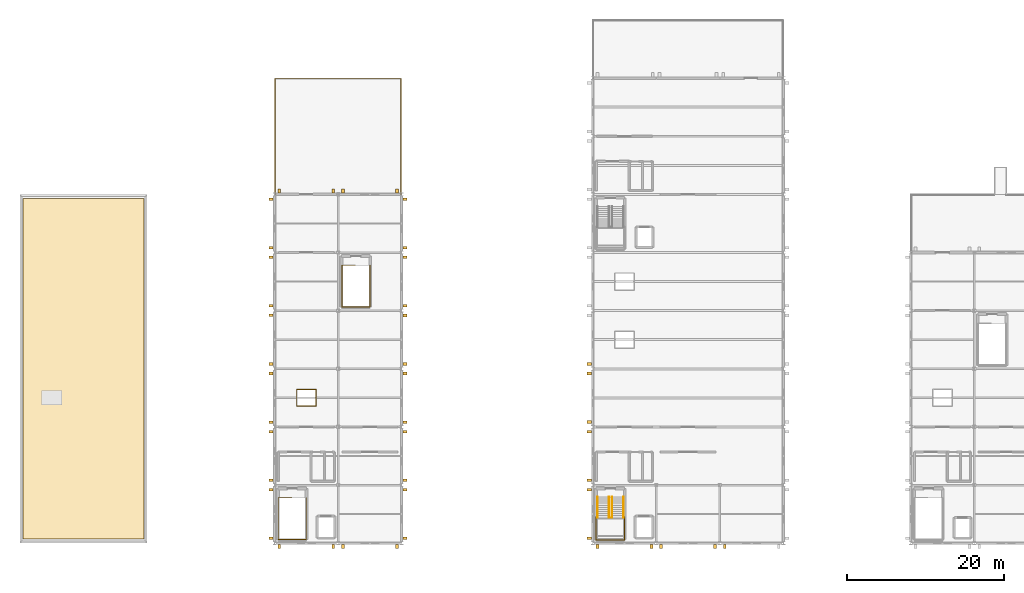
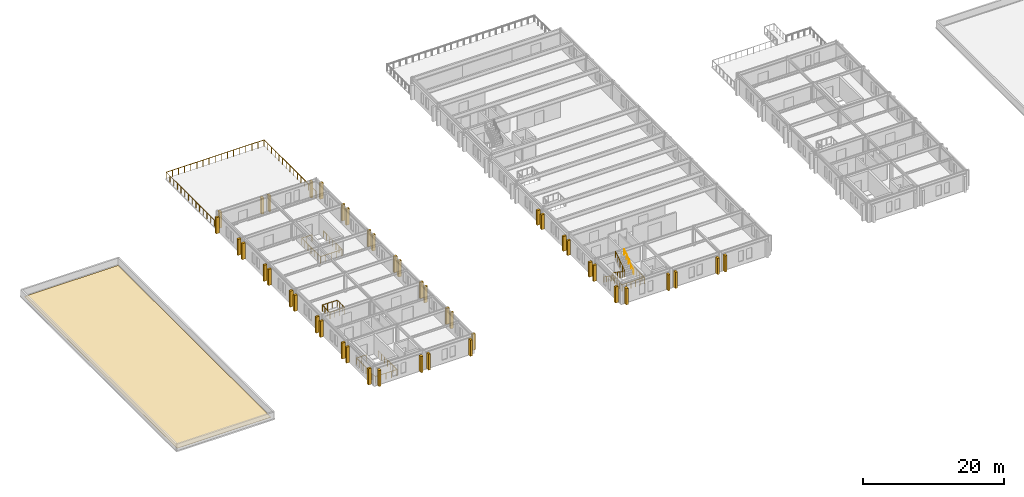
# One storey, part 17 of 19: 44 shading devices, 8 railings, 1 covering.
"""IFC4 building model written with IfcOpenShell, lengths in metres."""

from ifc_helpers import new_model, si_unit, direction, frame, origin, origin_2d, place, context, subcontext, project, spatial, rectangle, circle, extrude, material, layer, layer_set, type_object, element, save


model = new_model("IFC4")

# Units and contexts
model_context = context("Model", 3, precision=1e-05, world=origin(), true_north=direction((0.0, 1.0)))
body_context = subcontext(model_context, "Body", "Model", "MODEL_VIEW")
ifc_project = project(units=[si_unit("LENGTHUNIT", "METRE"), si_unit("AREAUNIT", "SQUARE_METRE"), si_unit("VOLUMEUNIT", "CUBIC_METRE"), si_unit("PLANEANGLEUNIT", "RADIAN"), si_unit("MASSUNIT", "GRAM", prefix="KILO")], contexts=[model_context])

# Site, building, storey
site_placement = place(None, origin())
site = spatial("IfcSite", under=ifc_project, at=site_placement, CompositionType="ELEMENT")
building_placement = place(site_placement, origin())
building = spatial("IfcBuilding", under=site, at=building_placement, Name="Cimatlan Art Gallery", CompositionType="ELEMENT")
storey_placement = place(building_placement, frame((0.0, 0.0, 17.39990234375)))
storey = spatial("IfcBuildingStorey", under=building, at=storey_placement, Name="L04", CompositionType="ELEMENT", Elevation=17.39990234375)

# Covering
ifc_material_1 = material(Name="Standing-seam patinated zinc roofing")
ifc_layer = layer(ifc_material_1, 0.02490234375)
ifc_layer_set = layer_set([ifc_layer], Name="Standing-seam patinated zinc roofing")
covering_type = type_object("IfcCoveringType", Name="COV-ROOF-ZINC-25", PredefinedType="ROOFING", material=ifc_layer_set)
covering_placement = place(storey_placement, frame((10.10009765625, 46.10009765625, 0.000244140625), z_axis=(0.0, 0.0, 1.0), x_axis=(1.0, 0.0, 0.0)))
element("IfcCovering", 1, at=covering_placement, inside=storey, type_object=covering_type, Name="RFG-B1", PredefinedType="ROOFING", context=body_context, shape_type="SweptSolid", body=[
    extrude(rectangle(XDim=15.39990234375, YDim=43.39990234375, at=origin_2d()), origin(), (0.0, 0.0, 1.0), 0.02490234375),
])

# Railings
ifc_material_2 = material(Name="Anodised bronze and laminated glass balustrade", Category="glass")
railing_type_1 = type_object("IfcRailingType", Name="RL-BAL-EXT-1100", PredefinedType="BALUSTRADE", material=ifc_material_2)
railing_1_placement = place(storey_placement, frame((34.47998046875, 68.320068359375, 0.0)))
element("IfcRailing", 2, at=railing_1_placement, inside=storey, type_object=railing_type_1, Name="GR-TER-25", PredefinedType="BALUSTRADE", context=body_context, shape_type="SweptSolid", body=[
    extrude(circle(Radius=0.02587890625, at=origin_2d()), frame((0.0, 0.0, 1.09423828125), z_axis=(0.0, 1.0, 0.0), x_axis=(-1.0, 0.0, 0.0)), (0.0, 0.0, 1.0), 14.699951171875),
    extrude(circle(Radius=0.02587890625, at=origin_2d()), frame((0.0, 14.699951171875, 1.09423828125), z_axis=(1.0, 0.0, 0.0), x_axis=(0.0, 1.0, 0.0)), (0.0, 0.0, 1.0), 16.0400390625),
    extrude(circle(Radius=0.02587890625, at=origin_2d()), frame((16.0400390625, 14.699951171875, 1.09423828125), z_axis=(0.0, -1.0, 0.0), x_axis=(1.0, 0.0, 0.0)), (0.0, 0.0, 1.0), 14.699951171875),
    extrude(circle(Radius=0.02099609375, at=origin_2d()), origin(), (0.0, 0.0, 1.0), 1.068115234375),
    extrude(circle(Radius=0.02099609375, at=origin_2d()), frame((0.0, 1.050048828125, 0.0)), (0.0, 0.0, 1.0), 1.068115234375),
    extrude(circle(Radius=0.02099609375, at=origin_2d()), frame((0.0, 2.10009765625, 0.0)), (0.0, 0.0, 1.0), 1.068115234375),
    extrude(circle(Radius=0.02099609375, at=origin_2d()), frame((0.0, 3.14990234375, 0.0)), (0.0, 0.0, 1.0), 1.068115234375),
    extrude(circle(Radius=0.02099609375, at=origin_2d()), frame((0.0, 4.199951171875, 0.0)), (0.0, 0.0, 1.0), 1.068115234375),
    extrude(circle(Radius=0.02099609375, at=origin_2d()), frame((0.0, 5.25, 0.0)), (0.0, 0.0, 1.0), 1.068115234375),
    extrude(circle(Radius=0.02099609375, at=origin_2d()), frame((0.0, 6.300048828125, 0.0)), (0.0, 0.0, 1.0), 1.068115234375),
    extrude(circle(Radius=0.02099609375, at=origin_2d()), frame((0.0, 7.35009765625, 0.0)), (0.0, 0.0, 1.0), 1.068115234375),
    extrude(circle(Radius=0.02099609375, at=origin_2d()), frame((0.0, 8.39990234375, 0.0)), (0.0, 0.0, 1.0), 1.068115234375),
    extrude(circle(Radius=0.02099609375, at=origin_2d()), frame((0.0, 9.449951171875, 0.0)), (0.0, 0.0, 1.0), 1.068115234375),
    extrude(circle(Radius=0.02099609375, at=origin_2d()), frame((0.0, 10.5, 0.0)), (0.0, 0.0, 1.0), 1.068115234375),
    extrude(circle(Radius=0.02099609375, at=origin_2d()), frame((0.0, 11.550048828125, 0.0)), (0.0, 0.0, 1.0), 1.068115234375),
    extrude(circle(Radius=0.02099609375, at=origin_2d()), frame((0.0, 12.599853515625, 0.0)), (0.0, 0.0, 1.0), 1.068115234375),
    extrude(circle(Radius=0.02099609375, at=origin_2d()), frame((0.0, 13.64990234375, 0.0)), (0.0, 0.0, 1.0), 1.068115234375),
    extrude(circle(Radius=0.02099609375, at=origin_2d()), frame((0.0, 14.699951171875, 0.0)), (0.0, 0.0, 1.0), 1.068115234375),
    extrude(circle(Radius=0.02099609375, at=origin_2d()), frame((1.00244140625, 14.699951171875, 0.0)), (0.0, 0.0, 1.0), 1.068115234375),
    extrude(circle(Radius=0.02099609375, at=origin_2d()), frame((2.0048828125, 14.699951171875, 0.0)), (0.0, 0.0, 1.0), 1.068115234375),
    extrude(circle(Radius=0.02099609375, at=origin_2d()), frame((3.007568359375, 14.699951171875, 0.0)), (0.0, 0.0, 1.0), 1.068115234375),
    extrude(circle(Radius=0.02099609375, at=origin_2d()), frame((4.010009765625, 14.699951171875, 0.0)), (0.0, 0.0, 1.0), 1.068115234375),
    extrude(circle(Radius=0.02099609375, at=origin_2d()), frame((5.012451171875, 14.699951171875, 0.0)), (0.0, 0.0, 1.0), 1.068115234375),
    extrude(circle(Radius=0.02099609375, at=origin_2d()), frame((6.01513671875, 14.699951171875, 0.0)), (0.0, 0.0, 1.0), 1.068115234375),
    extrude(circle(Radius=0.02099609375, at=origin_2d()), frame((7.017578125, 14.699951171875, 0.0)), (0.0, 0.0, 1.0), 1.068115234375),
    extrude(circle(Radius=0.02099609375, at=origin_2d()), frame((8.02001953125, 14.699951171875, 0.0)), (0.0, 0.0, 1.0), 1.068115234375),
    extrude(circle(Radius=0.02099609375, at=origin_2d()), frame((9.0224609375, 14.699951171875, 0.0)), (0.0, 0.0, 1.0), 1.068115234375),
    extrude(circle(Radius=0.02099609375, at=origin_2d()), frame((10.02490234375, 14.699951171875, 0.0)), (0.0, 0.0, 1.0), 1.068115234375),
    extrude(circle(Radius=0.02099609375, at=origin_2d()), frame((11.027587890625, 14.699951171875, 0.0)), (0.0, 0.0, 1.0), 1.068115234375),
    extrude(circle(Radius=0.02099609375, at=origin_2d()), frame((12.030029296875, 14.699951171875, 0.0)), (0.0, 0.0, 1.0), 1.068115234375),
    extrude(circle(Radius=0.02099609375, at=origin_2d()), frame((13.032470703125, 14.699951171875, 0.0)), (0.0, 0.0, 1.0), 1.068115234375),
    extrude(circle(Radius=0.02099609375, at=origin_2d()), frame((14.03515625, 14.699951171875, 0.0)), (0.0, 0.0, 1.0), 1.068115234375),
    extrude(circle(Radius=0.02099609375, at=origin_2d()), frame((15.03759765625, 14.699951171875, 0.0)), (0.0, 0.0, 1.0), 1.068115234375),
    extrude(circle(Radius=0.02099609375, at=origin_2d()), frame((16.0400390625, 14.699951171875, 0.0)), (0.0, 0.0, 1.0), 1.068115234375),
    extrude(circle(Radius=0.02099609375, at=origin_2d()), frame((16.0400390625, 13.64990234375, 0.0)), (0.0, 0.0, 1.0), 1.068115234375),
    extrude(circle(Radius=0.02099609375, at=origin_2d()), frame((16.0400390625, 12.599853515625, 0.0)), (0.0, 0.0, 1.0), 1.068115234375),
    extrude(circle(Radius=0.02099609375, at=origin_2d()), frame((16.0400390625, 11.550048828125, 0.0)), (0.0, 0.0, 1.0), 1.068115234375),
    extrude(circle(Radius=0.02099609375, at=origin_2d()), frame((16.0400390625, 10.5, 0.0)), (0.0, 0.0, 1.0), 1.068115234375),
    extrude(circle(Radius=0.02099609375, at=origin_2d()), frame((16.0400390625, 9.449951171875, 0.0)), (0.0, 0.0, 1.0), 1.068115234375),
    extrude(circle(Radius=0.02099609375, at=origin_2d()), frame((16.0400390625, 8.39990234375, 0.0)), (0.0, 0.0, 1.0), 1.068115234375),
    extrude(circle(Radius=0.02099609375, at=origin_2d()), frame((16.0400390625, 7.35009765625, 0.0)), (0.0, 0.0, 1.0), 1.068115234375),
    extrude(circle(Radius=0.02099609375, at=origin_2d()), frame((16.0400390625, 6.300048828125, 0.0)), (0.0, 0.0, 1.0), 1.068115234375),
    extrude(circle(Radius=0.02099609375, at=origin_2d()), frame((16.0400390625, 5.25, 0.0)), (0.0, 0.0, 1.0), 1.068115234375),
    extrude(circle(Radius=0.02099609375, at=origin_2d()), frame((16.0400390625, 4.199951171875, 0.0)), (0.0, 0.0, 1.0), 1.068115234375),
    extrude(circle(Radius=0.02099609375, at=origin_2d()), frame((16.0400390625, 3.14990234375, 0.0)), (0.0, 0.0, 1.0), 1.068115234375),
    extrude(circle(Radius=0.02099609375, at=origin_2d()), frame((16.0400390625, 2.10009765625, 0.0)), (0.0, 0.0, 1.0), 1.068115234375),
    extrude(circle(Radius=0.02099609375, at=origin_2d()), frame((16.0400390625, 1.050048828125, 0.0)), (0.0, 0.0, 1.0), 1.068115234375),
    extrude(circle(Radius=0.02099609375, at=origin_2d()), frame((16.0400390625, 0.0, 0.0)), (0.0, 0.0, 1.0), 1.068115234375),
])
ifc_material_3 = material(Name="Painted steel and bronze interior balustrade", Category="steel")
railing_type_2 = type_object("IfcRailingType", Name="RL-BAL-INT-1120", PredefinedType="BALUSTRADE", material=ifc_material_3)
railing_2_placement = place(storey_placement, frame((36.550048828125, 29.679931640625, 0.0)))
element("IfcRailing", 3, at=railing_2_placement, inside=storey, type_object=railing_type_2, Name="GR-WELL-TOP-C2", PredefinedType="BALUSTRADE", context=body_context, shape_type="SweptSolid", body=[
    extrude(circle(Radius=0.02392578125, at=origin_2d()), frame((0.0, 0.0, 1.09619140625), z_axis=(-1.0, 0.0, 0.0), x_axis=(0.0, -1.0, 0.0)), (0.0, 0.0, 1.0), 1.670166015625),
    extrude(circle(Radius=0.02392578125, at=origin_2d()), frame((-1.670166015625, 0.0, 1.09619140625), z_axis=(0.0, -1.0, 0.0), x_axis=(1.0, 0.0, 0.0)), (0.0, 0.0, 1.0), 5.300048828125),
    extrude(circle(Radius=0.02392578125, at=origin_2d()), frame((-1.670166015625, -5.300048828125, 1.09619140625), z_axis=(1.0, 0.0, 0.0), x_axis=(0.0, 1.0, 0.0)), (0.0, 0.0, 1.0), 3.56005859375),
    extrude(circle(Radius=0.02392578125, at=origin_2d()), frame((1.889892578125, -5.300048828125, 1.09619140625), z_axis=(0.0, 1.0, 0.0), x_axis=(-1.0, 0.0, 0.0)), (0.0, 0.0, 1.0), 5.300048828125),
    extrude(circle(Radius=0.02001953125, at=origin_2d()), origin(), (0.0, 0.0, 1.0), 1.072021484375),
    extrude(circle(Radius=0.02001953125, at=origin_2d()), frame((-0.8349609375, 0.0, 0.0)), (0.0, 0.0, 1.0), 1.072021484375),
    extrude(circle(Radius=0.02001953125, at=origin_2d()), frame((-1.670166015625, 0.0, 0.0)), (0.0, 0.0, 1.0), 1.072021484375),
    extrude(circle(Radius=0.02001953125, at=origin_2d()), frame((-1.670166015625, -0.88330078125, 0.0)), (0.0, 0.0, 1.0), 1.072021484375),
    extrude(circle(Radius=0.02001953125, at=origin_2d()), frame((-1.670166015625, -1.7666015625, 0.0)), (0.0, 0.0, 1.0), 1.072021484375),
    extrude(circle(Radius=0.02001953125, at=origin_2d()), frame((-1.670166015625, -2.64990234375, 0.0)), (0.0, 0.0, 1.0), 1.072021484375),
    extrude(circle(Radius=0.02001953125, at=origin_2d()), frame((-1.670166015625, -3.533447265625, 0.0)), (0.0, 0.0, 1.0), 1.072021484375),
    extrude(circle(Radius=0.02001953125, at=origin_2d()), frame((-1.670166015625, -4.416748046875, 0.0)), (0.0, 0.0, 1.0), 1.072021484375),
    extrude(circle(Radius=0.02001953125, at=origin_2d()), frame((-1.670166015625, -5.300048828125, 0.0)), (0.0, 0.0, 1.0), 1.072021484375),
    extrude(circle(Radius=0.02001953125, at=origin_2d()), frame((-0.7802734375, -5.300048828125, 0.0)), (0.0, 0.0, 1.0), 1.072021484375),
    extrude(circle(Radius=0.02001953125, at=origin_2d()), frame((0.10986328125, -5.300048828125, 0.0)), (0.0, 0.0, 1.0), 1.072021484375),
    extrude(circle(Radius=0.02001953125, at=origin_2d()), frame((1.0, -5.300048828125, 0.0)), (0.0, 0.0, 1.0), 1.072021484375),
    extrude(circle(Radius=0.02001953125, at=origin_2d()), frame((1.889892578125, -5.300048828125, 0.0)), (0.0, 0.0, 1.0), 1.072021484375),
    extrude(circle(Radius=0.02001953125, at=origin_2d()), frame((1.889892578125, -4.416748046875, 0.0)), (0.0, 0.0, 1.0), 1.072021484375),
    extrude(circle(Radius=0.02001953125, at=origin_2d()), frame((1.889892578125, -3.533447265625, 0.0)), (0.0, 0.0, 1.0), 1.072021484375),
    extrude(circle(Radius=0.02001953125, at=origin_2d()), frame((1.889892578125, -2.64990234375, 0.0)), (0.0, 0.0, 1.0), 1.072021484375),
    extrude(circle(Radius=0.02001953125, at=origin_2d()), frame((1.889892578125, -1.7666015625, 0.0)), (0.0, 0.0, 1.0), 1.072021484375),
    extrude(circle(Radius=0.02001953125, at=origin_2d()), frame((1.889892578125, -0.88330078125, 0.0)), (0.0, 0.0, 1.0), 1.072021484375),
    extrude(circle(Radius=0.02001953125, at=origin_2d()), frame((1.889892578125, 0.0, 0.0)), (0.0, 0.0, 1.0), 1.072021484375),
])
railing_3_placement = place(storey_placement, frame((75.31005859375, 27.239990234375, 1.800048828125)))
element("IfcRailing", 4, at=railing_3_placement, inside=storey, type_object=railing_type_2, Name="STR-C3-L04-LGRD", PredefinedType="BALUSTRADE", context=body_context, shape_type="SweptSolid", body=[
    extrude(circle(Radius=0.02392578125, at=origin_2d()), frame((0.0, 0.0, 1.09619140625), z_axis=(0.0, -1.0, 0.0), x_axis=(1.0, 0.0, 0.0)), (0.0, 0.0, 1.0), 2.929931640625),
    extrude(circle(Radius=0.02392578125, at=origin_2d()), frame((0.0, -2.929931640625, 1.09619140625), z_axis=(1.0, 0.0, 0.0), x_axis=(0.0, 1.0, 0.0)), (0.0, 0.0, 1.0), 3.669921875),
    extrude(circle(Radius=0.02392578125, at=origin_2d()), frame((3.669921875, -2.929931640625, 1.09619140625), z_axis=(0.0, 1.0, 0.0), x_axis=(-1.0, 0.0, 0.0)), (0.0, 0.0, 1.0), 2.929931640625),
    extrude(circle(Radius=0.02001953125, at=origin_2d()), origin(), (0.0, 0.0, 1.0), 1.072021484375),
    extrude(circle(Radius=0.02001953125, at=origin_2d()), frame((0.0, -0.732421875, 0.0)), (0.0, 0.0, 1.0), 1.072021484375),
    extrude(circle(Radius=0.02001953125, at=origin_2d()), frame((0.0, -1.46484375, 0.0)), (0.0, 0.0, 1.0), 1.072021484375),
    extrude(circle(Radius=0.02001953125, at=origin_2d()), frame((0.0, -2.197509765625, 0.0)), (0.0, 0.0, 1.0), 1.072021484375),
    extrude(circle(Radius=0.02001953125, at=origin_2d()), frame((0.0, -2.929931640625, 0.0)), (0.0, 0.0, 1.0), 1.072021484375),
    extrude(circle(Radius=0.02001953125, at=origin_2d()), frame((0.73388671875, -2.929931640625, 0.0)), (0.0, 0.0, 1.0), 1.072021484375),
    extrude(circle(Radius=0.02001953125, at=origin_2d()), frame((1.468017578125, -2.929931640625, 0.0)), (0.0, 0.0, 1.0), 1.072021484375),
    extrude(circle(Radius=0.02001953125, at=origin_2d()), frame((2.201904296875, -2.929931640625, 0.0)), (0.0, 0.0, 1.0), 1.072021484375),
    extrude(circle(Radius=0.02001953125, at=origin_2d()), frame((2.93603515625, -2.929931640625, 0.0)), (0.0, 0.0, 1.0), 1.072021484375),
    extrude(circle(Radius=0.02001953125, at=origin_2d()), frame((3.669921875, -2.929931640625, 0.0)), (0.0, 0.0, 1.0), 1.072021484375),
    extrude(circle(Radius=0.02001953125, at=origin_2d()), frame((3.669921875, -2.197509765625, 0.0)), (0.0, 0.0, 1.0), 1.072021484375),
    extrude(circle(Radius=0.02001953125, at=origin_2d()), frame((3.669921875, -1.46484375, 0.0)), (0.0, 0.0, 1.0), 1.072021484375),
    extrude(circle(Radius=0.02001953125, at=origin_2d()), frame((3.669921875, -0.732421875, 0.0)), (0.0, 0.0, 1.0), 1.072021484375),
    extrude(circle(Radius=0.02001953125, at=origin_2d()), frame((3.669921875, 0.0, 0.0)), (0.0, 0.0, 1.0), 1.072021484375),
])
railing_4_placement = place(storey_placement, frame((76.969970703125, 29.780029296875, 0.0)))
element("IfcRailing", 5, at=railing_4_placement, inside=storey, type_object=railing_type_2, Name="STR-C3-L04-GRD", PredefinedType="BALUSTRADE", context=body_context, shape_type="SweptSolid", body=[
    extrude(circle(Radius=0.02392578125, at=origin_2d()), frame((0.0, 0.0, 1.09619140625), z_axis=(0.0, -0.827224042694, 0.561872212509), x_axis=(1.0, 0.0, 0.0)), (0.0, 0.0, 1.0), 3.20361328125),
    extrude(circle(Radius=0.02392578125, at=origin_2d()), frame((0.0, -2.650146484375, 2.89599609375), z_axis=(1.0, 0.0, 0.0), x_axis=(0.0, 1.0, 0.0)), (0.0, 0.0, 1.0), 0.400146484375),
    extrude(circle(Radius=0.02392578125, at=origin_2d()), frame((0.400146484375, -2.650146484375, 2.89599609375), z_axis=(0.0, 0.827224042694, 0.561872212509), x_axis=(-1.0, 0.0, 0.0)), (0.0, 0.0, 1.0), 3.20361328125),
    extrude(circle(Radius=0.02001953125, at=origin_2d()), origin(), (0.0, 0.0, 1.0), 1.072021484375),
    extrude(circle(Radius=0.02001953125, at=origin_2d()), frame((0.0, -0.66259765625, 0.449951171875)), (0.0, 0.0, 1.0), 1.072021484375),
    extrude(circle(Radius=0.02001953125, at=origin_2d()), frame((0.0, -1.3251953125, 0.89990234375)), (0.0, 0.0, 1.0), 1.072021484375),
    extrude(circle(Radius=0.02001953125, at=origin_2d()), frame((0.0, -1.987548828125, 1.35009765625)), (0.0, 0.0, 1.0), 1.072021484375),
    extrude(circle(Radius=0.02001953125, at=origin_2d()), frame((0.0, -2.650146484375, 1.800048828125)), (0.0, 0.0, 1.0), 1.072021484375),
    extrude(circle(Radius=0.02001953125, at=origin_2d()), frame((0.400146484375, -2.650146484375, 1.800048828125)), (0.0, 0.0, 1.0), 1.072021484375),
    extrude(circle(Radius=0.02001953125, at=origin_2d()), frame((0.400146484375, -1.987548828125, 2.25)), (0.0, 0.0, 1.0), 1.072021484375),
    extrude(circle(Radius=0.02001953125, at=origin_2d()), frame((0.400146484375, -1.3251953125, 2.7001953125)), (0.0, 0.0, 1.0), 1.072021484375),
    extrude(circle(Radius=0.02001953125, at=origin_2d()), frame((0.400146484375, -0.66259765625, 3.150146484375)), (0.0, 0.0, 1.0), 1.072021484375),
    extrude(circle(Radius=0.02001953125, at=origin_2d()), frame((0.400146484375, 0.0, 3.60009765625)), (0.0, 0.0, 1.0), 1.072021484375),
])
railing_5_placement = place(storey_placement, frame((44.64990234375, 59.280029296875, 0.0)))
element("IfcRailing", 6, at=railing_5_placement, inside=storey, type_object=railing_type_2, Name="GR-WELL-TOP-C8", PredefinedType="BALUSTRADE", context=body_context, shape_type="SweptSolid", body=[
    extrude(circle(Radius=0.02392578125, at=origin_2d()), frame((0.0, 0.0, 1.09619140625), z_axis=(-1.0, 0.0, 0.0), x_axis=(0.0, -1.0, 0.0)), (0.0, 0.0, 1.0), 1.669921875),
    extrude(circle(Radius=0.02392578125, at=origin_2d()), frame((-1.669921875, 0.0, 1.09619140625), z_axis=(0.0, -1.0, 0.0), x_axis=(1.0, 0.0, 0.0)), (0.0, 0.0, 1.0), 5.300048828125),
    extrude(circle(Radius=0.02392578125, at=origin_2d()), frame((-1.669921875, -5.300048828125, 1.09619140625), z_axis=(1.0, 0.0, 0.0), x_axis=(0.0, 1.0, 0.0)), (0.0, 0.0, 1.0), 3.56005859375),
    extrude(circle(Radius=0.02392578125, at=origin_2d()), frame((1.89013671875, -5.300048828125, 1.09619140625), z_axis=(0.0, 1.0, 0.0), x_axis=(-1.0, 0.0, 0.0)), (0.0, 0.0, 1.0), 5.300048828125),
    extrude(circle(Radius=0.02001953125, at=origin_2d()), origin(), (0.0, 0.0, 1.0), 1.072021484375),
    extrude(circle(Radius=0.02001953125, at=origin_2d()), frame((-0.8349609375, 0.0, 0.0)), (0.0, 0.0, 1.0), 1.072021484375),
    extrude(circle(Radius=0.02001953125, at=origin_2d()), frame((-1.669921875, 0.0, 0.0)), (0.0, 0.0, 1.0), 1.072021484375),
    extrude(circle(Radius=0.02001953125, at=origin_2d()), frame((-1.669921875, -0.88330078125, 0.0)), (0.0, 0.0, 1.0), 1.072021484375),
    extrude(circle(Radius=0.02001953125, at=origin_2d()), frame((-1.669921875, -1.7666015625, 0.0)), (0.0, 0.0, 1.0), 1.072021484375),
    extrude(circle(Radius=0.02001953125, at=origin_2d()), frame((-1.669921875, -2.64990234375, 0.0)), (0.0, 0.0, 1.0), 1.072021484375),
    extrude(circle(Radius=0.02001953125, at=origin_2d()), frame((-1.669921875, -3.533447265625, 0.0)), (0.0, 0.0, 1.0), 1.072021484375),
    extrude(circle(Radius=0.02001953125, at=origin_2d()), frame((-1.669921875, -4.416748046875, 0.0)), (0.0, 0.0, 1.0), 1.072021484375),
    extrude(circle(Radius=0.02001953125, at=origin_2d()), frame((-1.669921875, -5.300048828125, 0.0)), (0.0, 0.0, 1.0), 1.072021484375),
    extrude(circle(Radius=0.02001953125, at=origin_2d()), frame((-0.77978515625, -5.300048828125, 0.0)), (0.0, 0.0, 1.0), 1.072021484375),
    extrude(circle(Radius=0.02001953125, at=origin_2d()), frame((0.110107421875, -5.300048828125, 0.0)), (0.0, 0.0, 1.0), 1.072021484375),
    extrude(circle(Radius=0.02001953125, at=origin_2d()), frame((1.0, -5.300048828125, 0.0)), (0.0, 0.0, 1.0), 1.072021484375),
    extrude(circle(Radius=0.02001953125, at=origin_2d()), frame((1.89013671875, -5.300048828125, 0.0)), (0.0, 0.0, 1.0), 1.072021484375),
    extrude(circle(Radius=0.02001953125, at=origin_2d()), frame((1.89013671875, -4.416748046875, 0.0)), (0.0, 0.0, 1.0), 1.072021484375),
    extrude(circle(Radius=0.02001953125, at=origin_2d()), frame((1.89013671875, -3.533447265625, 0.0)), (0.0, 0.0, 1.0), 1.072021484375),
    extrude(circle(Radius=0.02001953125, at=origin_2d()), frame((1.89013671875, -2.64990234375, 0.0)), (0.0, 0.0, 1.0), 1.072021484375),
    extrude(circle(Radius=0.02001953125, at=origin_2d()), frame((1.89013671875, -1.7666015625, 0.0)), (0.0, 0.0, 1.0), 1.072021484375),
    extrude(circle(Radius=0.02001953125, at=origin_2d()), frame((1.89013671875, -0.88330078125, 0.0)), (0.0, 0.0, 1.0), 1.072021484375),
    extrude(circle(Radius=0.02001953125, at=origin_2d()), frame((1.89013671875, 0.0, 0.0)), (0.0, 0.0, 1.0), 1.072021484375),
])
railing_6_placement = place(storey_placement, frame((37.239990234375, 41.340087890625, 0.0)))
element("IfcRailing", 7, at=railing_6_placement, inside=storey, type_object=railing_type_2, Name="GR-OCU-L04-B2S", PredefinedType="BALUSTRADE", context=body_context, shape_type="SweptSolid", body=[
    extrude(circle(Radius=0.02392578125, at=origin_2d()), frame((0.0, 0.0, 1.09619140625), z_axis=(1.0, 0.0, 0.0), x_axis=(0.0, 1.0, 0.0)), (0.0, 0.0, 1.0), 2.419921875),
    extrude(circle(Radius=0.02392578125, at=origin_2d()), frame((2.419921875, 0.0, 1.09619140625), z_axis=(0.0, 1.0, 0.0), x_axis=(-1.0, 0.0, 0.0)), (0.0, 0.0, 1.0), 2.119873046875),
    extrude(circle(Radius=0.02392578125, at=origin_2d()), frame((2.419921875, 2.119873046875, 1.09619140625), z_axis=(-1.0, 0.0, 0.0), x_axis=(0.0, -1.0, 0.0)), (0.0, 0.0, 1.0), 2.419921875),
    extrude(circle(Radius=0.02392578125, at=origin_2d()), frame((0.0, 2.119873046875, 1.09619140625), z_axis=(0.0, -1.0, 0.0), x_axis=(1.0, 0.0, 0.0)), (0.0, 0.0, 1.0), 2.080078125),
    extrude(circle(Radius=0.02001953125, at=origin_2d()), origin(), (0.0, 0.0, 1.0), 1.072021484375),
    extrude(circle(Radius=0.02001953125, at=origin_2d()), frame((0.806640625, 0.0, 0.0)), (0.0, 0.0, 1.0), 1.072021484375),
    extrude(circle(Radius=0.02001953125, at=origin_2d()), frame((1.61328125, 0.0, 0.0)), (0.0, 0.0, 1.0), 1.072021484375),
    extrude(circle(Radius=0.02001953125, at=origin_2d()), frame((2.419921875, 0.0, 0.0)), (0.0, 0.0, 1.0), 1.072021484375),
    extrude(circle(Radius=0.02001953125, at=origin_2d()), frame((2.419921875, 0.70654296875, 0.0)), (0.0, 0.0, 1.0), 1.072021484375),
    extrude(circle(Radius=0.02001953125, at=origin_2d()), frame((2.419921875, 1.413330078125, 0.0)), (0.0, 0.0, 1.0), 1.072021484375),
    extrude(circle(Radius=0.02001953125, at=origin_2d()), frame((2.419921875, 2.119873046875, 0.0)), (0.0, 0.0, 1.0), 1.072021484375),
    extrude(circle(Radius=0.02001953125, at=origin_2d()), frame((1.61328125, 2.119873046875, 0.0)), (0.0, 0.0, 1.0), 1.072021484375),
    extrude(circle(Radius=0.02001953125, at=origin_2d()), frame((0.806640625, 2.119873046875, 0.0)), (0.0, 0.0, 1.0), 1.072021484375),
    extrude(circle(Radius=0.02001953125, at=origin_2d()), frame((0.0, 2.119873046875, 0.0)), (0.0, 0.0, 1.0), 1.072021484375),
    extrude(circle(Radius=0.02001953125, at=origin_2d()), frame((0.0, 1.426513671875, 0.0)), (0.0, 0.0, 1.0), 1.072021484375),
    extrude(circle(Radius=0.02001953125, at=origin_2d()), frame((0.0, 0.733154296875, 0.0)), (0.0, 0.0, 1.0), 1.072021484375),
    extrude(circle(Radius=0.02001953125, at=origin_2d()), frame((0.0, 0.039794921875, 0.0)), (0.0, 0.0, 1.0), 1.072021484375),
])
ifc_material_4 = material(Name="Brushed bronze stair handrail")
railing_type_3 = type_object("IfcRailingType", Name="RL-HND-INT-920", PredefinedType="HANDRAIL", material=ifc_material_4)
railing_7_placement = place(storey_placement, frame((75.510009765625, 29.780029296875, 0.0)))
element("IfcRailing", 8, at=railing_7_placement, inside=storey, type_object=railing_type_3, Name="STR-C3-L04-HR1", PredefinedType="HANDRAIL", context=body_context, shape_type="SweptSolid", body=[
    extrude(circle(Radius=0.02197265625, at=origin_2d()), frame((0.0, 0.0, 0.89794921875), z_axis=(0.0, -0.827224042694, 0.561872212509), x_axis=(1.0, 0.0, 0.0)), (0.0, 0.0, 1.0), 3.20361328125),
    extrude(circle(Radius=0.01904296875, at=origin_2d()), origin(), (0.0, 0.0, 1.0), 0.8759765625),
    extrude(circle(Radius=0.01904296875, at=origin_2d()), frame((0.0, -0.66259765625, 0.449951171875)), (0.0, 0.0, 1.0), 0.8759765625),
    extrude(circle(Radius=0.01904296875, at=origin_2d()), frame((0.0, -1.3251953125, 0.89990234375)), (0.0, 0.0, 1.0), 0.8759765625),
    extrude(circle(Radius=0.01904296875, at=origin_2d()), frame((0.0, -1.987548828125, 1.35009765625)), (0.0, 0.0, 1.0), 0.8759765625),
    extrude(circle(Radius=0.01904296875, at=origin_2d()), frame((0.0, -2.650146484375, 1.800048828125)), (0.0, 0.0, 1.0), 0.8759765625),
])
railing_8_placement = place(storey_placement, frame((78.830078125, 27.1298828125, 1.800048828125)))
element("IfcRailing", 9, at=railing_8_placement, inside=storey, type_object=railing_type_3, Name="STR-C3-L04-HR2", PredefinedType="HANDRAIL", context=body_context, shape_type="SweptSolid", body=[
    extrude(circle(Radius=0.02197265625, at=origin_2d()), frame((0.0, 0.0, 0.89794921875), z_axis=(0.0, 0.827224042694, 0.561872212509), x_axis=(-1.0, 0.0, 0.0)), (0.0, 0.0, 1.0), 3.20361328125),
    extrude(circle(Radius=0.01904296875, at=origin_2d()), origin(), (0.0, 0.0, 1.0), 0.8759765625),
    extrude(circle(Radius=0.01904296875, at=origin_2d()), frame((0.0, 0.66259765625, 0.449951171875)), (0.0, 0.0, 1.0), 0.8759765625),
    extrude(circle(Radius=0.01904296875, at=origin_2d()), frame((0.0, 1.3251953125, 0.89990234375)), (0.0, 0.0, 1.0), 0.8759765625),
    extrude(circle(Radius=0.01904296875, at=origin_2d()), frame((0.0, 1.987548828125, 1.35009765625)), (0.0, 0.0, 1.0), 0.8759765625),
    extrude(circle(Radius=0.01904296875, at=origin_2d()), frame((0.0, 2.650146484375, 1.800048828125)), (0.0, 0.0, 1.0), 0.8759765625),
])

# Shading devices
ifc_material_5 = material(Name="Queretaro cantera limestone buttress pilaster", Category="masonry")
shading_device_type = type_object("IfcShadingDeviceType", Name="SHD-BUT-520", PredefinedType="USERDEFINED", material=ifc_material_5)
for number, where, z_axis, x_axis, name in (
    (10, (41.888916015625, 23.471923828125, 0.06005859375), (0.0, 0.0, 1.0), (-1.0, 0.0, 0.0), "BUT-0449"),
    (11, (35.009521484375, 23.471923828125, 0.06005859375), (0.0, 0.0, 1.0), (-1.0, 0.0, 0.0), "BUT-0450"),
    (12, (33.971923828125, 24.506103515625, 0.06005859375), (0.0, 0.0, 1.0), (0.0, 1.0, 0.0), "BUT-0451"),
    (13, (33.971923828125, 30.694091796875, 0.06005859375), (0.0, 0.0, 1.0), (0.0, 1.0, 0.0), "BUT-0452"),
    (14, (33.971923828125, 31.906005859375, 0.06005859375), (0.0, 0.0, 1.0), (0.0, 1.0, 0.0), "BUT-0453"),
    (15, (33.971923828125, 38.093994140625, 0.06005859375), (0.0, 0.0, 1.0), (0.0, 1.0, 0.0), "BUT-0454"),
    (16, (33.971923828125, 39.305908203125, 0.06005859375), (0.0, 0.0, 1.0), (0.0, 1.0, 0.0), "BUT-0455"),
    (17, (33.971923828125, 45.493896484375, 0.06005859375), (0.0, 0.0, 1.0), (0.0, 1.0, 0.0), "BUT-0456"),
    (18, (33.971923828125, 46.7060546875, 0.06005859375), (0.0, 0.0, 1.0), (0.0, 1.0, 0.0), "BUT-0457"),
    (19, (33.971923828125, 52.89404296875, 0.06005859375), (0.0, 0.0, 1.0), (0.0, 1.0, 0.0), "BUT-0458"),
    (20, (33.971923828125, 54.10595703125, 0.06005859375), (0.0, 0.0, 1.0), (0.0, 1.0, 0.0), "BUT-0459"),
    (21, (33.971923828125, 60.2939453125, 0.06005859375), (0.0, 0.0, 1.0), (0.0, 1.0, 0.0), "BUT-0460"),
    (22, (35.009521484375, 68.72802734375, 0.06005859375), (0.0, 0.0, 1.0), (1.0, 0.0, 0.0), "BUT-0461"),
    (23, (41.888916015625, 68.72802734375, 0.06005859375), (0.0, 0.0, 1.0), (1.0, 0.0, 0.0), "BUT-0462"),
    (24, (33.971923828125, 61.506103515625, 0.06005859375), (0.0, 0.0, 1.0), (0.0, 1.0, 0.0), "BUT-0463"),
    (25, (33.971923828125, 67.694091796875, 0.06005859375), (0.0, 0.0, 1.0), (0.0, 1.0, 0.0), "BUT-0464"),
    (26, (49.989013671875, 23.471923828125, 0.06005859375), (0.0, 0.0, 1.0), (-1.0, 0.0, 0.0), "BUT-0465"),
    (27, (43.111083984375, 23.471923828125, 0.06005859375), (0.0, 0.0, 1.0), (-1.0, 0.0, 0.0), "BUT-0466"),
    (28, (51.028076171875, 30.68994140625, 0.06005859375), (0.0, 0.0, 1.0), (0.0, -1.0, 0.0), "BUT-0467"),
    (29, (51.028076171875, 24.510009765625, 0.06005859375), (0.0, 0.0, 1.0), (0.0, -1.0, 0.0), "BUT-0468"),
    (30, (51.028076171875, 38.090087890625, 0.06005859375), (0.0, 0.0, 1.0), (0.0, -1.0, 0.0), "BUT-0469"),
    (31, (51.028076171875, 31.909912109375, 0.06005859375), (0.0, 0.0, 1.0), (0.0, -1.0, 0.0), "BUT-0470"),
    (32, (51.028076171875, 45.489990234375, 0.06005859375), (0.0, 0.0, 1.0), (0.0, -1.0, 0.0), "BUT-0471"),
    (33, (51.028076171875, 39.31005859375, 0.06005859375), (0.0, 0.0, 1.0), (0.0, -1.0, 0.0), "BUT-0472"),
    (34, (51.028076171875, 52.889892578125, 0.06005859375), (0.0, 0.0, 1.0), (0.0, -1.0, 0.0), "BUT-0473"),
    (35, (51.028076171875, 46.7099609375, 0.06005859375), (0.0, 0.0, 1.0), (0.0, -1.0, 0.0), "BUT-0474"),
    (36, (51.028076171875, 60.2900390625, 0.06005859375), (0.0, 0.0, 1.0), (0.0, -1.0, 0.0), "BUT-0475"),
    (37, (51.028076171875, 54.110107421875, 0.06005859375), (0.0, 0.0, 1.0), (0.0, -1.0, 0.0), "BUT-0476"),
    (38, (43.111083984375, 68.72802734375, 0.06005859375), (0.0, 0.0, 1.0), (1.0, 0.0, 0.0), "BUT-0477"),
    (39, (49.989013671875, 68.72802734375, 0.06005859375), (0.0, 0.0, 1.0), (1.0, 0.0, 0.0), "BUT-0478"),
    (40, (51.028076171875, 67.68994140625, 0.06005859375), (0.0, 0.0, 1.0), (0.0, -1.0, 0.0), "BUT-0479"),
    (41, (51.028076171875, 61.510009765625, 0.06005859375), (0.0, 0.0, 1.0), (0.0, -1.0, 0.0), "BUT-0480"),
    (42, (82.388916015625, 23.471923828125, 0.06005859375), (0.0, 0.0, 1.0), (-1.0, 0.0, 0.0), "BUT-0481"),
    (43, (75.52099609375, 23.471923828125, 0.06005859375), (0.0, 0.0, 1.0), (-1.0, 0.0, 0.0), "BUT-0482"),
    (44, (74.471923828125, 24.511962890625, 0.06005859375), (0.0, 0.0, 1.0), (0.0, 1.0, 0.0), "BUT-0483"),
    (45, (74.471923828125, 30.68798828125, 0.06005859375), (0.0, 0.0, 1.0), (0.0, 1.0, 0.0), "BUT-0484"),
):
    element("IfcShadingDevice", number, at=place(storey_placement, frame(where, z_axis=z_axis, x_axis=x_axis)), inside=storey, type_object=shading_device_type, Name=name, ObjectType="FIN", PredefinedType="USERDEFINED", context=body_context, shape_type="SweptSolid", body=[
        extrude(rectangle(XDim=0.340087890625, YDim=0.52001953125, at=origin_2d()), origin(), (0.0, 0.0, 1.0), 2.7880859375),
    ])
for number, where, z_axis, x_axis, name in (
    (46, (74.471923828125, 31.912109375, 0.06005859375), (0.0, 0.0, 1.0), (0.0, 1.0, 0.0), "BUT-0485"),
    (47, (74.471923828125, 38.087890625, 0.06005859375), (0.0, 0.0, 1.0), (0.0, 1.0, 0.0), "BUT-0486"),
    (48, (74.471923828125, 39.31201171875, 0.06005859375), (0.0, 0.0, 1.0), (0.0, 1.0, 0.0), "BUT-0487"),
    (49, (74.471923828125, 45.488037109375, 0.06005859375), (0.0, 0.0, 1.0), (0.0, 1.0, 0.0), "BUT-0488"),
    (50, (74.471923828125, 46.7119140625, 0.06005859375), (0.0, 0.0, 1.0), (0.0, 1.0, 0.0), "BUT-0489"),
):
    element("IfcShadingDevice", number, at=place(storey_placement, frame(where, z_axis=z_axis, x_axis=x_axis)), inside=storey, type_object=shading_device_type, Name=name, ObjectType="FIN", PredefinedType="USERDEFINED", context=body_context, shape_type="SweptSolid", body=[
        extrude(rectangle(XDim=0.340087890625, YDim=0.52001953125, at=origin_2d()), origin(), (0.0, 0.0, 1.0), 2.56103515625),
    ])
for number, where, z_axis, x_axis, name in (
    (51, (90.489013671875, 23.471923828125, 0.06005859375), (0.0, 0.0, 1.0), (-1.0, 0.0, 0.0), "BUT-0501"),
    (52, (83.611083984375, 23.471923828125, 0.06005859375), (0.0, 0.0, 1.0), (-1.0, 0.0, 0.0), "BUT-0502"),
    (53, (91.7109375, 23.471923828125, 0.06005859375), (0.0, 0.0, 1.0), (-1.0, 0.0, 0.0), "BUT-0506"),
):
    element("IfcShadingDevice", number, at=place(storey_placement, frame(where, z_axis=z_axis, x_axis=x_axis)), inside=storey, type_object=shading_device_type, Name=name, ObjectType="FIN", PredefinedType="USERDEFINED", context=body_context, shape_type="SweptSolid", body=[
        extrude(rectangle(XDim=0.340087890625, YDim=0.52001953125, at=origin_2d()), origin(), (0.0, 0.0, 1.0), 2.7880859375),
    ])

save(model, "model.ifc")
